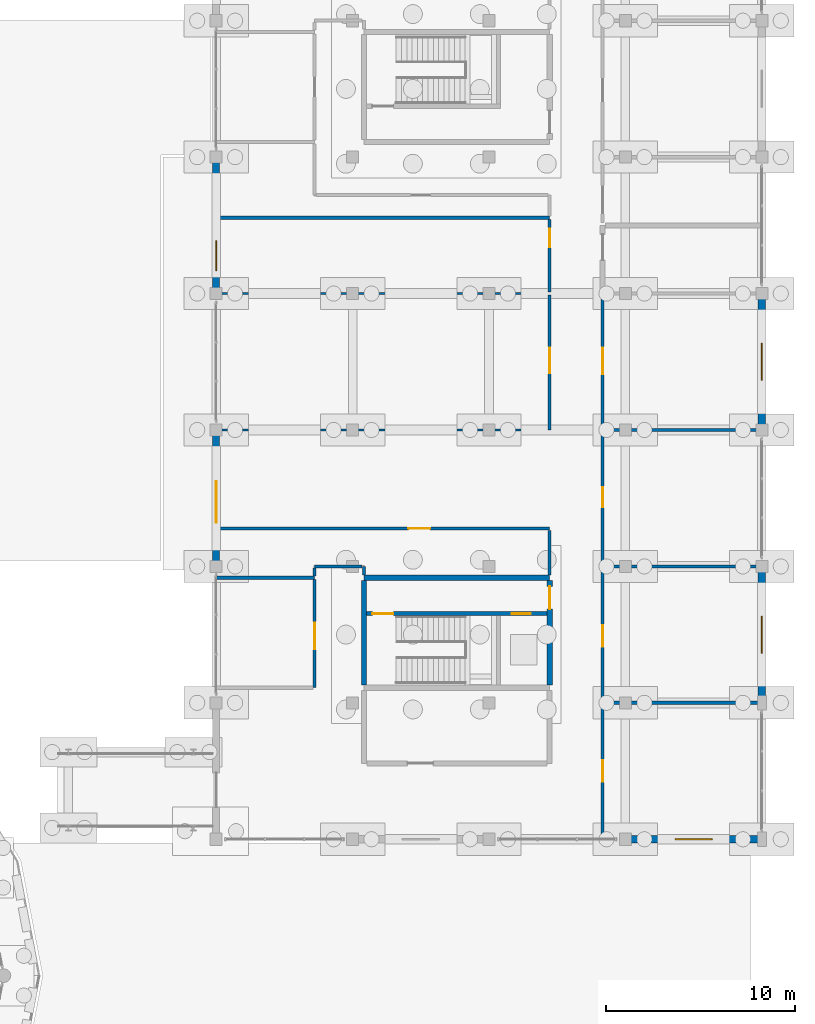
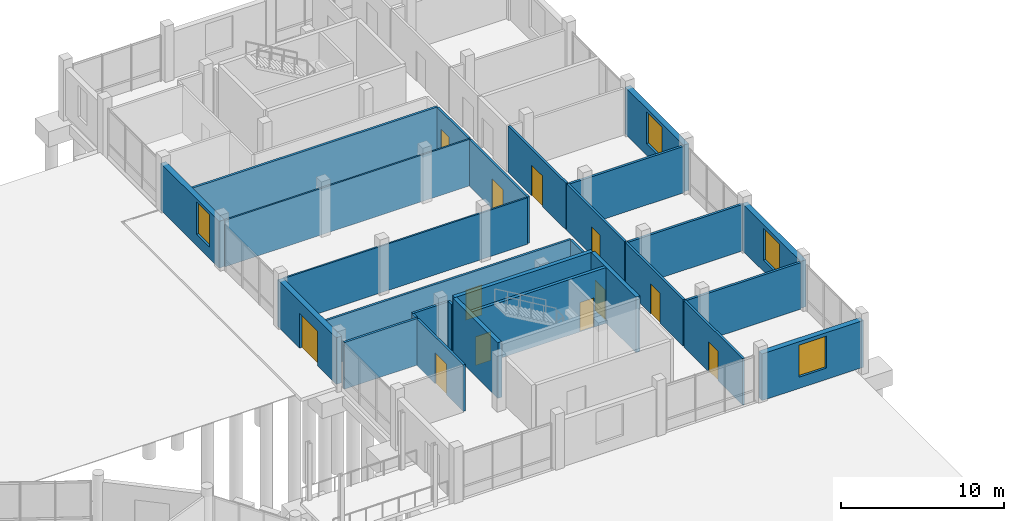
# One storey, part 84 of 98: 28 walls, 12 doors, 4 windows, 16 openings.
"""IFC4 building model written with IfcOpenShell, lengths in metres."""

from ifc_helpers import new_model, si_unit, direction, frame, frame_2d, origin, place, context, subcontext, project, spatial, rectangle, extrude, material, layer, layer_set, type_object, element, fill, save


model = new_model("IFC4")

# Units and contexts
model_context = context("Model", 3, precision=1e-05, world=origin(), true_north=direction((0.0, 1.0)))
body_context = subcontext(model_context, "Body", "Model", "MODEL_VIEW")
ifc_project = project(units=[si_unit("LENGTHUNIT", "METRE"), si_unit("AREAUNIT", "SQUARE_METRE"), si_unit("VOLUMEUNIT", "CUBIC_METRE"), si_unit("PLANEANGLEUNIT", "RADIAN"), si_unit("MASSUNIT", "GRAM", prefix="KILO")], contexts=[model_context])

# Site, building, storey
site_placement = place(None, origin())
site = spatial("IfcSite", under=ifc_project, at=site_placement, CompositionType="ELEMENT")
building_placement = place(site_placement, origin())
building = spatial("IfcBuilding", under=site, at=building_placement, Name="Zornivar Specialist Clinic", CompositionType="ELEMENT")
storey_placement = place(building_placement, origin())
storey = spatial("IfcBuildingStorey", under=building, at=storey_placement, Name="L00", CompositionType="ELEMENT", Elevation=0.0)

# Wall, opening, window
ifc_material_1 = material(Name="Masonry Vratsa Limestone and Brick Banded Wall", Category="masonry")
ifc_layer_1 = layer(ifc_material_1, 0.3798828125)
ifc_layer_set_1 = layer_set([ifc_layer_1], Name="Masonry Vratsa Limestone and Brick Banded Wall")
wall_type_1 = type_object("IfcWallType", Name="EW-LIMESTONE-380", PredefinedType="SOLIDWALL", material=ifc_layer_set_1)
wall_1_placement = place(storey_placement, frame((158.39990234375, 64.800048828125, 0.0), z_axis=(0.0, 0.0, 1.0), x_axis=(1.0, 0.0, 0.0)))
wall_1 = element("IfcWall", 1, at=wall_1_placement, inside=storey, type_object=wall_type_1, Name="ew:V6:L00:03", PredefinedType="SOLIDWALL", context=body_context, shape_type="SweptSolid", body=[
    extrude(rectangle(XDim=7.2001953125, YDim=0.3798828125, at=frame_2d((3.60009765625, 0.0))), origin(), (0.0, 0.0, 1.0), 3.510009765625),
])
opening_1_placement = place(wall_1_placement, frame((2.625, 0.0, 0.85009765625)))
opening_1 = element("IfcOpeningElement", 2, at=opening_1_placement, cuts=wall_1, Name="Opening W-19", PredefinedType="OPENING", context=body_context, shape_type="SweptSolid", body=[
    extrude(rectangle(XDim=1.949951171875, YDim=2.39990234375, at=frame_2d((0.97509765625, 1.199951171875))), frame((0.0, 0.199951171875, 0.0), z_axis=(0.0, -1.0, 0.0), x_axis=(1.0, 0.0, 0.0)), (0.0, 0.0, 1.0), 0.39990234375),
])
ifc_material_2 = material(Name="Triple-Glazed Aluminium-Timber Window Glass", Category="wood")
window_type_1 = type_object("IfcWindowType", Name="WIN-TEACH-GND-1950x2400", PartitioningType="SINGLE_PANEL", PredefinedType="WINDOW", material=ifc_material_2)
window_1_placement = place(opening_1_placement, origin())
window_1 = element("IfcWindow", 3, at=window_1_placement, inside=storey, type_object=window_type_1, Name="win:V6:L00:03", OverallHeight=2.39990234375, OverallWidth=1.949951171875, PartitioningType="SINGLE_PANEL", PredefinedType="WINDOW", context=body_context, shape_type="SweptSolid", body=[
    extrude(rectangle(XDim=1.949951171875, YDim=2.39990234375, at=frame_2d((0.97509765625, 1.199951171875))), frame((0.0, 0.030029296875, 0.0), z_axis=(0.0, -1.0, 0.0), x_axis=(1.0, 0.0, 0.0)), (0.0, 0.0, 1.0), 0.06005859375),
])
fill(opening_1, window_1)

wall_2_placement = place(storey_placement, frame((165.60009765625, 72.0, 0.0), z_axis=(0.0, 0.0, 1.0), x_axis=(0.0, 1.0, 0.0)))
wall_2 = element("IfcWall", 4, at=wall_2_placement, inside=storey, type_object=wall_type_1, Name="ew:V6:L00:05", PredefinedType="SOLIDWALL", context=body_context, shape_type="SweptSolid", body=[
    extrude(rectangle(XDim=7.199951171875, YDim=0.3798828125, at=frame_2d((3.60009765625, 0.0))), origin(), (0.0, 0.0, 1.0), 3.510009765625),
])
opening_2_placement = place(wall_2_placement, frame((2.625, 0.0, 0.85009765625)))
opening_2 = element("IfcOpeningElement", 5, at=opening_2_placement, cuts=wall_2, Name="Opening W-19", PredefinedType="OPENING", context=body_context, shape_type="SweptSolid", body=[
    extrude(rectangle(XDim=1.949951171875, YDim=2.39990234375, at=frame_2d((0.97509765625, 1.199951171875))), frame((0.0, 0.199951171875, 0.0), z_axis=(0.0, -1.0, 0.0), x_axis=(1.0, 0.0, 0.0)), (0.0, 0.0, 1.0), 0.39990234375),
])
window_2_placement = place(opening_2_placement, origin())
window_2 = element("IfcWindow", 6, at=window_2_placement, inside=storey, type_object=window_type_1, Name="win:V6:L00:05", OverallHeight=2.39990234375, OverallWidth=1.949951171875, PartitioningType="SINGLE_PANEL", PredefinedType="WINDOW", context=body_context, shape_type="SweptSolid", body=[
    extrude(rectangle(XDim=1.949951171875, YDim=2.39990234375, at=frame_2d((0.97509765625, 1.199951171875))), frame((0.0, 0.030029296875, 0.0), z_axis=(0.0, -1.0, 0.0), x_axis=(1.0, 0.0, 0.0)), (0.0, 0.0, 1.0), 0.06005859375),
])
fill(opening_2, window_2)

wall_3_placement = place(storey_placement, frame((165.60009765625, 86.39990234375, 0.0), z_axis=(0.0, 0.0, 1.0), x_axis=(0.0, 1.0, 0.0)))
wall_3 = element("IfcWall", 7, at=wall_3_placement, inside=storey, type_object=wall_type_1, Name="ew:V6:L00:07", PredefinedType="SOLIDWALL", context=body_context, shape_type="SweptSolid", body=[
    extrude(rectangle(XDim=7.2001953125, YDim=0.3798828125, at=frame_2d((3.60009765625, 0.0))), origin(), (0.0, 0.0, 1.0), 3.510009765625),
])
opening_3_placement = place(wall_3_placement, frame((2.625, 0.0, 0.85009765625)))
opening_3 = element("IfcOpeningElement", 8, at=opening_3_placement, cuts=wall_3, Name="Opening W-19", PredefinedType="OPENING", context=body_context, shape_type="SweptSolid", body=[
    extrude(rectangle(XDim=1.949951171875, YDim=2.39990234375, at=frame_2d((0.97509765625, 1.199951171875))), frame((0.0, 0.199951171875, 0.0), z_axis=(0.0, -1.0, 0.0), x_axis=(1.0, 0.0, 0.0)), (0.0, 0.0, 1.0), 0.39990234375),
])
window_3_placement = place(opening_3_placement, origin())
window_3 = element("IfcWindow", 9, at=window_3_placement, inside=storey, type_object=window_type_1, Name="win:V6:L00:07", OverallHeight=2.39990234375, OverallWidth=1.949951171875, PartitioningType="SINGLE_PANEL", PredefinedType="WINDOW", context=body_context, shape_type="SweptSolid", body=[
    extrude(rectangle(XDim=1.949951171875, YDim=2.39990234375, at=frame_2d((0.97509765625, 1.199951171875))), frame((0.0, 0.030029296875, 0.0), z_axis=(0.0, -1.0, 0.0), x_axis=(1.0, 0.0, 0.0)), (0.0, 0.0, 1.0), 0.06005859375),
])
fill(opening_3, window_3)

wall_4_placement = place(storey_placement, frame((136.800048828125, 100.800048828125, 0.0), z_axis=(0.0, 0.0, 1.0), x_axis=(0.0, -1.0, 0.0)))
wall_4 = element("IfcWall", 10, at=wall_4_placement, inside=storey, type_object=wall_type_1, Name="ew:V6:L00:17", PredefinedType="SOLIDWALL", context=body_context, shape_type="SweptSolid", body=[
    extrude(rectangle(XDim=7.199951171875, YDim=0.3798828125, at=frame_2d((3.60009765625, 0.0))), origin(), (0.0, 0.0, 1.0), 3.510009765625),
])
opening_4_placement = place(wall_4_placement, frame((4.39990234375, 0.0, 0.85009765625)))
opening_4 = element("IfcOpeningElement", 11, at=opening_4_placement, cuts=wall_4, Name="Opening W-01", PredefinedType="OPENING", context=body_context, shape_type="SweptSolid", body=[
    extrude(rectangle(XDim=1.60009765625, YDim=2.449951171875, at=frame_2d((0.800048828125, 1.22509765625))), frame((0.0, 0.199951171875, 0.0), z_axis=(0.0, -1.0, 0.0), x_axis=(1.0, 0.0, 0.0)), (0.0, 0.0, 1.0), 0.39990234375),
])
ifc_material_3 = material(Name="Triple-Glazed Aluminium-Timber Window Glass", Category="wood")
window_type_2 = type_object("IfcWindowType", Name="WIN-PLINTH-MOD-1600x2450", PartitioningType="SINGLE_PANEL", PredefinedType="WINDOW", material=ifc_material_3)
window_4_placement = place(opening_4_placement, origin())
window_4 = element("IfcWindow", 12, at=window_4_placement, inside=storey, type_object=window_type_2, Name="win:V6:L00:17", OverallHeight=2.449951171875, OverallWidth=1.60009765625, PartitioningType="SINGLE_PANEL", PredefinedType="WINDOW", context=body_context, shape_type="SweptSolid", body=[
    extrude(rectangle(XDim=1.60009765625, YDim=2.449951171875, at=frame_2d((0.800048828125, 1.22509765625))), frame((0.0, 0.030029296875, 0.0), z_axis=(0.0, -1.0, 0.0), x_axis=(1.0, 0.0, 0.0)), (0.0, 0.0, 1.0), 0.06005859375),
])
fill(opening_4, window_4)

# Wall, opening, door
wall_5_placement = place(storey_placement, frame((136.800048828125, 86.39990234375, 0.0), z_axis=(0.0, 0.0, 1.0), x_axis=(0.0, -1.0, 0.0)))
wall_5 = element("IfcWall", 13, at=wall_5_placement, inside=storey, type_object=wall_type_1, Name="ew:V6:L00:19", PredefinedType="SOLIDWALL", context=body_context, shape_type="SweptSolid", body=[
    extrude(rectangle(XDim=7.199951171875, YDim=0.3798828125, at=frame_2d((3.60009765625, 0.0))), origin(), (0.0, 0.0, 1.0), 3.510009765625),
])
opening_5_placement = place(wall_5_placement, frame((2.699951171875, 0.0, 0.0)))
opening_5 = element("IfcOpeningElement", 14, at=opening_5_placement, cuts=wall_5, Name="Opening ED-01", PredefinedType="OPENING", context=body_context, shape_type="SweptSolid", body=[
    extrude(rectangle(XDim=2.199951171875, YDim=2.60009765625, at=frame_2d((1.10009765625, 1.300048828125))), frame((0.0, 0.199951171875, 0.0), z_axis=(0.0, -1.0, 0.0), x_axis=(1.0, 0.0, 0.0)), (0.0, 0.0, 1.0), 0.39990234375),
])
ifc_material_4 = material(Name="Thermally Broken Glazed Aluminium Door", Category="aluminium")
door_type_1 = type_object("IfcDoorType", Name="ED-MAIN-2200x2600", OperationType="NOTDEFINED", PredefinedType="DOOR", material=ifc_material_4)
door_1_placement = place(opening_5_placement, frame((2.199951171875, 0.0, 0.0), z_axis=(0.0, 0.0, 1.0), x_axis=(-1.0, 0.0, 0.0)))
door_1 = element("IfcDoor", 15, at=door_1_placement, inside=storey, type_object=door_type_1, Name="door:V6:L00:19", OperationType="DOUBLE_DOOR_SINGLE_SWING", OverallHeight=2.60009765625, OverallWidth=2.199951171875, PredefinedType="DOOR", context=body_context, shape_type="SweptSolid", body=[
    extrude(rectangle(XDim=2.199951171875, YDim=2.60009765625, at=frame_2d((1.10009765625, 1.300048828125))), frame((0.0, 0.02490234375, 0.0), z_axis=(0.0, -1.0, 0.0), x_axis=(1.0, 0.0, 0.0)), (0.0, 0.0, 1.0), 0.050048828125),
])
fill(opening_5, door_1)

ifc_material_5 = material(Name="Gypsum Fire-Rated Double Stud Partition")
ifc_layer_2 = layer(ifc_material_5, 0.159912109375)
ifc_layer_set_2 = layer_set([ifc_layer_2], Name="Gypsum Fire-Rated Double Stud Partition")
wall_type_2 = type_object("IfcWallType", Name="IW-CORR-EI60-160", PredefinedType="PARTITIONING", material=ifc_layer_set_2)
wall_6_placement = place(storey_placement, frame((142.0, 78.5009765625, 0.0), z_axis=(0.0, 0.0, 1.0), x_axis=(0.0, -1.0, 0.0)))
wall_6 = element("IfcWall", 16, at=wall_6_placement, inside=storey, type_object=wall_type_2, Name="iw:L00:201", PredefinedType="PARTITIONING", context=body_context, shape_type="SweptSolid", body=[
    extrude(rectangle(XDim=5.700927734375, YDim=0.159912109375, at=frame_2d((2.8505859375, 0.0))), origin(), (0.0, 0.0, 1.0), 3.489990234375),
])
opening_6_placement = place(wall_6_placement, frame((2.261962890625, 0.0, 0.0)))
opening_6 = element("IfcOpeningElement", 17, at=opening_6_placement, cuts=wall_6, Name="Opening ID-12", PredefinedType="OPENING", context=body_context, shape_type="SweptSolid", body=[
    extrude(rectangle(XDim=1.39990234375, YDim=2.300048828125, at=frame_2d((0.699951171875, 1.14990234375))), frame((0.0, 0.08984375, 0.0), z_axis=(0.0, -1.0, 0.0), x_axis=(1.0, 0.0, 0.0)), (0.0, 0.0, 1.0), 0.179931640625),
])
ifc_material_6 = material(Name="Solid-Core Hygienic Laminate Timber Door", Category="wood")
door_type_2 = type_object("IfcDoorType", Name="ID-WAIT-1400x2300", OperationType="NOTDEFINED", PredefinedType="DOOR", material=ifc_material_6)
door_2_placement = place(opening_6_placement, origin())
door_2 = element("IfcDoor", 18, at=door_2_placement, inside=storey, type_object=door_type_2, Name="door:space:V6:L00:rm:01", OperationType="DOUBLE_DOOR_SINGLE_SWING", OverallHeight=2.300048828125, OverallWidth=1.39990234375, PredefinedType="DOOR", context=body_context, shape_type="SweptSolid", body=[
    extrude(rectangle(XDim=1.39990234375, YDim=2.300048828125, at=frame_2d((0.699951171875, 1.14990234375))), frame((0.0, 0.02490234375, 0.0), z_axis=(0.0, -1.0, 0.0), x_axis=(1.0, 0.0, 0.0)), (0.0, 0.0, 1.0), 0.050048828125),
])
fill(opening_6, door_2)

# Walls
wall_7_placement = place(storey_placement, frame((144.60009765625, 78.7548828125, 0.0), z_axis=(0.0, 0.0, 1.0), x_axis=(0.0, 1.0, 0.0)))
element("IfcWall", 19, at=wall_7_placement, inside=storey, type_object=wall_type_2, Name="iw:L00:203", PredefinedType="PARTITIONING", context=body_context, shape_type="SweptSolid", body=[
    extrude(rectangle(XDim=0.445068359375, YDim=0.159912109375, at=frame_2d((0.22265625, 0.0))), origin(), (0.0, 0.0, 1.0), 3.489990234375),
])
wall_8_placement = place(storey_placement, frame((144.506103515625, 79.199951171875, 0.0), z_axis=(0.0, 0.0, 1.0), x_axis=(-1.0, 0.0, 0.0)))
element("IfcWall", 20, at=wall_8_placement, inside=storey, type_object=wall_type_2, Name="iw:L00:204", PredefinedType="PARTITIONING", context=body_context, shape_type="SweptSolid", body=[
    extrude(rectangle(XDim=2.506103515625, YDim=0.159912109375, at=frame_2d((1.2529296875, 0.0))), origin(), (0.0, 0.0, 1.0), 3.489990234375),
])
wall_9_placement = place(storey_placement, frame((142.0, 79.10595703125, 0.0), z_axis=(0.0, 0.0, 1.0), x_axis=(0.0, -1.0, 0.0)))
element("IfcWall", 21, at=wall_9_placement, inside=storey, type_object=wall_type_2, Name="iw:L00:205", PredefinedType="PARTITIONING", context=body_context, shape_type="SweptSolid", body=[
    extrude(rectangle(XDim=0.406982421875, YDim=0.159912109375, at=frame_2d((0.20361328125, 0.0))), origin(), (0.0, 0.0, 1.0), 3.489990234375),
])

# Wall, opening, door
wall_10_placement = place(storey_placement, frame((137.0048828125, 81.199951171875, 0.0), z_axis=(0.0, 0.0, 1.0), x_axis=(1.0, 0.0, 0.0)))
wall_10 = element("IfcWall", 22, at=wall_10_placement, inside=storey, type_object=wall_type_2, Name="iw:L00:206", PredefinedType="PARTITIONING", context=body_context, shape_type="SweptSolid", body=[
    extrude(rectangle(XDim=17.39501953125, YDim=0.159912109375, at=frame_2d((8.697509765625, 0.0))), origin(), (0.0, 0.0, 1.0), 3.489990234375),
])
opening_7_placement = place(wall_10_placement, frame((9.94189453125, 0.0, 0.0)))
opening_7 = element("IfcOpeningElement", 23, at=opening_7_placement, cuts=wall_10, Name="Opening ID-06", PredefinedType="OPENING", context=body_context, shape_type="SweptSolid", body=[
    extrude(rectangle(XDim=1.14990234375, YDim=2.25, at=frame_2d((0.574951171875, 1.125))), frame((0.0, 0.08984375, 0.0), z_axis=(0.0, -1.0, 0.0), x_axis=(1.0, 0.0, 0.0)), (0.0, 0.0, 1.0), 0.179931640625),
])
ifc_material_7 = material(Name="Solid-Core Hygienic Laminate Timber Door", Category="wood")
door_type_3 = type_object("IfcDoorType", Name="ID-LAB-1150x2250", OperationType="NOTDEFINED", PredefinedType="DOOR", material=ifc_material_7)
door_3_placement = place(opening_7_placement, origin())
door_3 = element("IfcDoor", 24, at=door_3_placement, inside=storey, type_object=door_type_3, Name="door:space:V6:L00:rm:02", OperationType="SINGLE_SWING_RIGHT", OverallHeight=2.25, OverallWidth=1.14990234375, PredefinedType="DOOR", context=body_context, shape_type="SweptSolid", body=[
    extrude(rectangle(XDim=1.14990234375, YDim=2.25, at=frame_2d((0.574951171875, 1.125))), frame((0.0, 0.02490234375, 0.0), z_axis=(0.0, -1.0, 0.0), x_axis=(1.0, 0.0, 0.0)), (0.0, 0.0, 1.0), 0.050048828125),
])
fill(opening_7, door_3)

# Wall
wall_11_placement = place(storey_placement, frame((154.39990234375, 81.10595703125, 0.0), z_axis=(0.0, 0.0, 1.0), x_axis=(0.0, -1.0, 0.0)))
element("IfcWall", 25, at=wall_11_placement, inside=storey, type_object=wall_type_2, Name="iw:L00:207", PredefinedType="PARTITIONING", context=body_context, shape_type="SweptSolid", body=[
    extrude(rectangle(XDim=2.35107421875, YDim=0.159912109375, at=frame_2d((1.175537109375, 0.0))), origin(), (0.0, 0.0, 1.0), 3.489990234375),
])

# Wall, opening, door
wall_12_placement = place(storey_placement, frame((154.39990234375, 93.52587890625, 0.0), z_axis=(0.0, 0.0, 1.0), x_axis=(0.0, -1.0, 0.0)))
wall_12 = element("IfcWall", 26, at=wall_12_placement, inside=storey, type_object=wall_type_2, Name="iw:L00:209", PredefinedType="PARTITIONING", context=body_context, shape_type="SweptSolid", body=[
    extrude(rectangle(XDim=7.1259765625, YDim=0.159912109375, at=frame_2d((3.56298828125, 0.0))), origin(), (0.0, 0.0, 1.0), 3.489990234375),
])
opening_8_placement = place(wall_12_placement, frame((2.77294921875, 0.0, 0.0)))
opening_8 = element("IfcOpeningElement", 27, at=opening_8_placement, cuts=wall_12, Name="Opening ID-10", PredefinedType="OPENING", context=body_context, shape_type="SweptSolid", body=[
    extrude(rectangle(XDim=1.35009765625, YDim=2.25, at=frame_2d((0.675048828125, 1.125))), frame((0.0, 0.08984375, 0.0), z_axis=(0.0, -1.0, 0.0), x_axis=(1.0, 0.0, 0.0)), (0.0, 0.0, 1.0), 0.179931640625),
])
ifc_material_8 = material(Name="Solid-Core Hygienic Laminate Timber Door", Category="wood")
door_type_4 = type_object("IfcDoorType", Name="ID-TEACH-1350x2250", OperationType="NOTDEFINED", PredefinedType="DOOR", material=ifc_material_8)
door_4_placement = place(opening_8_placement, origin())
door_4 = element("IfcDoor", 28, at=door_4_placement, inside=storey, type_object=door_type_4, Name="door:space:V6:L00:rm:03", OperationType="SINGLE_SWING_LEFT", OverallHeight=2.25, OverallWidth=1.35009765625, PredefinedType="DOOR", context=body_context, shape_type="SweptSolid", body=[
    extrude(rectangle(XDim=1.35009765625, YDim=2.25, at=frame_2d((0.675048828125, 1.125))), frame((0.0, 0.02490234375, 0.0), z_axis=(0.0, -1.0, 0.0), x_axis=(1.0, 0.0, 0.0)), (0.0, 0.0, 1.0), 0.050048828125),
])
fill(opening_8, door_4)

wall_13_placement = place(storey_placement, frame((154.39990234375, 97.5009765625, 0.0), z_axis=(0.0, 0.0, 1.0), x_axis=(0.0, -1.0, 0.0)))
wall_13 = element("IfcWall", 29, at=wall_13_placement, inside=storey, type_object=wall_type_2, Name="iw:L00:212", PredefinedType="PARTITIONING", context=body_context, shape_type="SweptSolid", body=[
    extrude(rectangle(XDim=3.826904296875, YDim=0.159912109375, at=frame_2d((1.91357421875, 0.0))), origin(), (0.0, 0.0, 1.0), 3.489990234375),
])
opening_9_placement = place(wall_13_placement, frame((0.47998046875, 0.0, 0.0)))
opening_9 = element("IfcOpeningElement", 30, at=opening_9_placement, cuts=wall_13, Name="Opening ID-09", PredefinedType="OPENING", context=body_context, shape_type="SweptSolid", body=[
    extrude(rectangle(XDim=0.97998046875, YDim=2.14990234375, at=frame_2d((0.489990234375, 1.074951171875))), frame((0.0, 0.08984375, 0.0), z_axis=(0.0, -1.0, 0.0), x_axis=(1.0, 0.0, 0.0)), (0.0, 0.0, 1.0), 0.179931640625),
])
ifc_material_9 = material(Name="Solid-Core Hygienic Laminate Timber Door", Category="wood")
door_type_5 = type_object("IfcDoorType", Name="ID-STAFF-0980x2150", OperationType="NOTDEFINED", PredefinedType="DOOR", material=ifc_material_9)
door_5_placement = place(opening_9_placement, origin())
door_5 = element("IfcDoor", 31, at=door_5_placement, inside=storey, type_object=door_type_5, Name="door:space:V6:L00:rm:04", OperationType="SINGLE_SWING_RIGHT", OverallHeight=2.14990234375, OverallWidth=0.97998046875, PredefinedType="DOOR", context=body_context, shape_type="SweptSolid", body=[
    extrude(rectangle(XDim=0.97998046875, YDim=2.14990234375, at=frame_2d((0.489990234375, 1.074951171875))), frame((0.0, 0.02490234375, 0.0), z_axis=(0.0, -1.0, 0.0), x_axis=(1.0, 0.0, 0.0)), (0.0, 0.0, 1.0), 0.050048828125),
])
fill(opening_9, door_5)

wall_14_placement = place(storey_placement, frame((157.199951171875, 64.800048828125, 0.0), z_axis=(0.0, 0.0, 1.0), x_axis=(0.0, 1.0, 0.0)))
wall_14 = element("IfcWall", 32, at=wall_14_placement, inside=storey, type_object=wall_type_2, Name="iw:L00:223", PredefinedType="PARTITIONING", context=body_context, shape_type="SweptSolid", body=[
    extrude(rectangle(XDim=7.199951171875, YDim=0.159912109375, at=frame_2d((3.60009765625, 0.0))), origin(), (0.0, 0.0, 1.0), 3.489990234375),
])
opening_10_placement = place(wall_14_placement, frame((3.02490234375, 0.0, 0.0)))
opening_10 = element("IfcOpeningElement", 33, at=opening_10_placement, cuts=wall_14, Name="Opening ID-06", PredefinedType="OPENING", context=body_context, shape_type="SweptSolid", body=[
    extrude(rectangle(XDim=1.14990234375, YDim=2.25, at=frame_2d((0.574951171875, 1.125))), frame((0.0, 0.08984375, 0.0), z_axis=(0.0, -1.0, 0.0), x_axis=(1.0, 0.0, 0.0)), (0.0, 0.0, 1.0), 0.179931640625),
])
door_6_placement = place(opening_10_placement, origin())
door_6 = element("IfcDoor", 34, at=door_6_placement, inside=storey, type_object=door_type_3, Name="door:space:V6:L00:rm:08", OperationType="SINGLE_SWING_RIGHT", OverallHeight=2.25, OverallWidth=1.14990234375, PredefinedType="DOOR", context=body_context, shape_type="SweptSolid", body=[
    extrude(rectangle(XDim=1.14990234375, YDim=2.25, at=frame_2d((0.574951171875, 1.125))), frame((0.0, 0.02490234375, 0.0), z_axis=(0.0, -1.0, 0.0), x_axis=(1.0, 0.0, 0.0)), (0.0, 0.0, 1.0), 0.050048828125),
])
fill(opening_10, door_6)

wall_15_placement = place(storey_placement, frame((157.199951171875, 72.09912109375, 0.0), z_axis=(0.0, 0.0, 1.0), x_axis=(0.0, 1.0, 0.0)))
wall_15 = element("IfcWall", 35, at=wall_15_placement, inside=storey, type_object=wall_type_2, Name="iw:L00:225", PredefinedType="PARTITIONING", context=body_context, shape_type="SweptSolid", body=[
    extrude(rectangle(XDim=7.100830078125, YDim=0.159912109375, at=frame_2d((3.55029296875, 0.0))), origin(), (0.0, 0.0, 1.0), 3.489990234375),
])
opening_11_placement = place(wall_15_placement, frame((2.85693359375, 0.0, 0.0)))
opening_11 = element("IfcOpeningElement", 36, at=opening_11_placement, cuts=wall_15, Name="Opening ID-06", PredefinedType="OPENING", context=body_context, shape_type="SweptSolid", body=[
    extrude(rectangle(XDim=1.14990234375, YDim=2.25, at=frame_2d((0.574951171875, 1.125))), frame((0.0, 0.08984375, 0.0), z_axis=(0.0, -1.0, 0.0), x_axis=(1.0, 0.0, 0.0)), (0.0, 0.0, 1.0), 0.179931640625),
])
door_7_placement = place(opening_11_placement, origin())
door_7 = element("IfcDoor", 37, at=door_7_placement, inside=storey, type_object=door_type_3, Name="door:space:V6:L00:rm:09", OperationType="SINGLE_SWING_LEFT", OverallHeight=2.25, OverallWidth=1.14990234375, PredefinedType="DOOR", context=body_context, shape_type="SweptSolid", body=[
    extrude(rectangle(XDim=1.14990234375, YDim=2.25, at=frame_2d((0.574951171875, 1.125))), frame((0.0, 0.02490234375, 0.0), z_axis=(0.0, -1.0, 0.0), x_axis=(1.0, 0.0, 0.0)), (0.0, 0.0, 1.0), 0.050048828125),
])
fill(opening_11, door_7)

wall_16_placement = place(storey_placement, frame((157.199951171875, 79.299072265625, 0.0), z_axis=(0.0, 0.0, 1.0), x_axis=(0.0, 1.0, 0.0)))
wall_16 = element("IfcWall", 38, at=wall_16_placement, inside=storey, type_object=wall_type_2, Name="iw:L00:227", PredefinedType="PARTITIONING", context=body_context, shape_type="SweptSolid", body=[
    extrude(rectangle(XDim=7.100830078125, YDim=0.159912109375, at=frame_2d((3.55029296875, 0.0))), origin(), (0.0, 0.0, 1.0), 3.489990234375),
])
opening_12_placement = place(wall_16_placement, frame((3.02490234375, 0.0, 0.0)))
opening_12 = element("IfcOpeningElement", 39, at=opening_12_placement, cuts=wall_16, Name="Opening ID-03", PredefinedType="OPENING", context=body_context, shape_type="SweptSolid", body=[
    extrude(rectangle(XDim=1.050048828125, YDim=2.14990234375, at=frame_2d((0.52490234375, 1.074951171875))), frame((0.0, 0.08984375, 0.0), z_axis=(0.0, -1.0, 0.0), x_axis=(1.0, 0.0, 0.0)), (0.0, 0.0, 1.0), 0.179931640625),
])
ifc_material_10 = material(Name="Solid-Core Hygienic Laminate Timber Door", Category="wood")
door_type_6 = type_object("IfcDoorType", Name="ID-CONS-1050x2150", OperationType="NOTDEFINED", PredefinedType="DOOR", material=ifc_material_10)
door_8_placement = place(opening_12_placement, origin())
door_8 = element("IfcDoor", 40, at=door_8_placement, inside=storey, type_object=door_type_6, Name="door:space:V6:L00:rm:10", OperationType="SINGLE_SWING_RIGHT", OverallHeight=2.14990234375, OverallWidth=1.050048828125, PredefinedType="DOOR", context=body_context, shape_type="SweptSolid", body=[
    extrude(rectangle(XDim=1.050048828125, YDim=2.14990234375, at=frame_2d((0.52490234375, 1.074951171875))), frame((0.0, 0.02490234375, 0.0), z_axis=(0.0, -1.0, 0.0), x_axis=(1.0, 0.0, 0.0)), (0.0, 0.0, 1.0), 0.050048828125),
])
fill(opening_12, door_8)

wall_17_placement = place(storey_placement, frame((157.199951171875, 86.4990234375, 0.0), z_axis=(0.0, 0.0, 1.0), x_axis=(0.0, 1.0, 0.0)))
wall_17 = element("IfcWall", 41, at=wall_17_placement, inside=storey, type_object=wall_type_2, Name="iw:L00:229", PredefinedType="PARTITIONING", context=body_context, shape_type="SweptSolid", body=[
    extrude(rectangle(XDim=7.10107421875, YDim=0.159912109375, at=frame_2d((3.550537109375, 0.0))), origin(), (0.0, 0.0, 1.0), 3.489990234375),
])
opening_13_placement = place(wall_17_placement, frame((2.85009765625, 0.0, 0.0)))
opening_13 = element("IfcOpeningElement", 42, at=opening_13_placement, cuts=wall_17, Name="Opening ID-12", PredefinedType="OPENING", context=body_context, shape_type="SweptSolid", body=[
    extrude(rectangle(XDim=1.39990234375, YDim=2.300048828125, at=frame_2d((0.699951171875, 1.14990234375))), frame((0.0, 0.08984375, 0.0), z_axis=(0.0, -1.0, 0.0), x_axis=(1.0, 0.0, 0.0)), (0.0, 0.0, 1.0), 0.179931640625),
])
door_9_placement = place(opening_13_placement, origin())
door_9 = element("IfcDoor", 43, at=door_9_placement, inside=storey, type_object=door_type_2, Name="door:space:V6:L00:rm:11", OperationType="DOUBLE_DOOR_SINGLE_SWING", OverallHeight=2.300048828125, OverallWidth=1.39990234375, PredefinedType="DOOR", context=body_context, shape_type="SweptSolid", body=[
    extrude(rectangle(XDim=1.39990234375, YDim=2.300048828125, at=frame_2d((0.699951171875, 1.14990234375))), frame((0.0, 0.02490234375, 0.0), z_axis=(0.0, -1.0, 0.0), x_axis=(1.0, 0.0, 0.0)), (0.0, 0.0, 1.0), 0.050048828125),
])
fill(opening_13, door_9)

# Walls
ifc_material_11 = material(Name="Acoustic Glazed Consultation Partition")
ifc_layer_3 = layer(ifc_material_11, 0.1201171875)
ifc_layer_set_3 = layer_set([ifc_layer_3], Name="Acoustic Glazed Consultation Partition")
wall_type_3 = type_object("IfcWallType", Name="IW-GLAZ-120", PredefinedType="PARTITIONING", material=ifc_layer_set_3)
wall_18_placement = place(storey_placement, frame((137.0048828125, 93.60009765625, 0.0), z_axis=(0.0, 0.0, 1.0), x_axis=(1.0, 0.0, 0.0)))
element("IfcWall", 44, at=wall_18_placement, inside=storey, type_object=wall_type_3, Name="iw:L00:208", PredefinedType="PARTITIONING", context=body_context, shape_type="SweptSolid", body=[
    extrude(rectangle(XDim=17.39501953125, YDim=0.1201171875, at=frame_2d((8.697509765625, 0.0))), origin(), (0.0, 0.0, 1.0), 3.489990234375),
])
wall_19_placement = place(storey_placement, frame((154.305908203125, 86.39990234375, 0.0), z_axis=(0.0, 0.0, 1.0), x_axis=(-1.0, 0.0, 0.0)))
element("IfcWall", 45, at=wall_19_placement, inside=storey, type_object=wall_type_3, Name="iw:L00:210", PredefinedType="PARTITIONING", context=body_context, shape_type="SweptSolid", body=[
    extrude(rectangle(XDim=17.301025390625, YDim=0.1201171875, at=frame_2d((8.650390625, 0.0))), origin(), (0.0, 0.0, 1.0), 3.489990234375),
])
ifc_material_12 = material(Name="Laboratory Chemical-Resistant Stud Partition")
ifc_layer_4 = layer(ifc_material_12, 0.169921875)
ifc_layer_set_4 = layer_set([ifc_layer_4], Name="Laboratory Chemical-Resistant Stud Partition")
wall_type_4 = type_object("IfcWallType", Name="IW-LAB-EI60-170", PredefinedType="PARTITIONING", material=ifc_layer_set_4)
wall_20_placement = place(storey_placement, frame((136.800048828125, 78.60009765625, 0.0), z_axis=(0.0, 0.0, 1.0), x_axis=(1.0, 0.0, 0.0)))
element("IfcWall", 46, at=wall_20_placement, inside=storey, type_object=wall_type_4, Name="iw:L00:200", PredefinedType="PARTITIONING", context=body_context, shape_type="SweptSolid", body=[
    extrude(rectangle(XDim=5.199951171875, YDim=0.169921875, at=frame_2d((2.60009765625, 0.0))), origin(), (0.0, 0.0, 1.0), 3.489990234375),
])
wall_21_placement = place(storey_placement, frame((137.0048828125, 97.60009765625, 0.0), z_axis=(0.0, 0.0, 1.0), x_axis=(1.0, 0.0, 0.0)))
element("IfcWall", 47, at=wall_21_placement, inside=storey, type_object=wall_type_4, Name="iw:L00:211", PredefinedType="PARTITIONING", context=body_context, shape_type="SweptSolid", body=[
    extrude(rectangle(XDim=17.39501953125, YDim=0.169921875, at=frame_2d((8.697509765625, 0.0))), origin(), (0.0, 0.0, 1.0), 3.489990234375),
])
for number, where, z_axis, x_axis, name in (
    (48, (157.2939453125, 72.0, 0.0), (0.0, 0.0, 1.0), (1.0, 0.0, 0.0), "iw:L00:224"),
    (49, (157.2939453125, 79.199951171875, 0.0), (0.0, 0.0, 1.0), (1.0, 0.0, 0.0), "iw:L00:226"),
    (50, (157.2939453125, 86.39990234375, 0.0), (0.0, 0.0, 1.0), (1.0, 0.0, 0.0), "iw:L00:228"),
):
    element("IfcWall", number, at=place(storey_placement, frame(where, z_axis=z_axis, x_axis=x_axis)), inside=storey, type_object=wall_type_4, Name=name, PredefinedType="PARTITIONING", context=body_context, shape_type="SweptSolid", body=[
        extrude(rectangle(XDim=8.10107421875, YDim=0.169921875, at=frame_2d((4.050537109375, 0.0))), origin(), (0.0, 0.0, 1.0), 3.489990234375),
    ])

# Wall, opening, door
ifc_material_13 = material(Name="Concrete C35/45", Category="concrete")
ifc_layer_5 = layer(ifc_material_13, 0.280029296875)
ifc_layer_set_5 = layer_set([ifc_layer_5], Name="Concrete C35/45")
wall_type_5 = type_object("IfcWallType", Name="SW-CORE-280", PredefinedType="SHEAR", material=ifc_layer_set_5)
wall_22_placement = place(storey_placement, frame((154.39990234375, 72.93994140625, 0.0), z_axis=(0.0, 0.0, 1.0), x_axis=(0.0, 1.0, 0.0)))
wall_22 = element("IfcWall", 51, at=wall_22_placement, inside=storey, type_object=wall_type_5, Name="sw:C9:L00:w1", PredefinedType="SHEAR", context=body_context, shape_type="SweptSolid", body=[
    extrude(rectangle(XDim=5.52001953125, YDim=0.280029296875, at=frame_2d((2.760009765625, 0.0))), origin(), (0.0, 0.0, 1.0), 4.179931640625),
])
opening_14_placement = place(wall_22_placement, frame((4.0, 0.0, 0.0)))
opening_14 = element("IfcOpeningElement", 52, at=opening_14_placement, cuts=wall_22, Name="Opening FD-01", PredefinedType="OPENING", context=body_context, shape_type="SweptSolid", body=[
    extrude(rectangle(XDim=1.199951171875, YDim=2.25, at=frame_2d((0.60009765625, 1.125))), frame((0.0, 0.14990234375, 0.0), z_axis=(0.0, -1.0, 0.0), x_axis=(1.0, 0.0, 0.0)), (0.0, 0.0, 1.0), 0.300048828125),
])
ifc_material_14 = material(Name="Solid-Core Hygienic Laminate Timber Door", Category="wood")
door_type_7 = type_object("IfcDoorType", Name="FD-LOBBY-MAIN-1200x2250", OperationType="NOTDEFINED", PredefinedType="DOOR", material=ifc_material_14)
door_10_placement = place(opening_14_placement, origin())
door_10 = element("IfcDoor", 53, at=door_10_placement, inside=storey, type_object=door_type_7, Name="door:C9:L00:lob", OperationType="SINGLE_SWING_RIGHT", OverallHeight=2.25, OverallWidth=1.199951171875, PredefinedType="DOOR", context=body_context, shape_type="SweptSolid", body=[
    extrude(rectangle(XDim=1.199951171875, YDim=2.25, at=frame_2d((0.60009765625, 1.125))), frame((0.0, 0.02490234375, 0.0), z_axis=(0.0, -1.0, 0.0), x_axis=(1.0, 0.0, 0.0)), (0.0, 0.0, 1.0), 0.050048828125),
])
fill(opening_14, door_10)

# Walls
wall_23_placement = place(storey_placement, frame((154.39990234375, 78.60009765625, 0.0), z_axis=(0.0, 0.0, 1.0), x_axis=(-1.0, 0.0, 0.0)))
element("IfcWall", 54, at=wall_23_placement, inside=storey, type_object=wall_type_5, Name="sw:C9:L00:w2", PredefinedType="SHEAR", context=body_context, shape_type="SweptSolid", body=[
    extrude(rectangle(XDim=9.7998046875, YDim=0.280029296875, at=frame_2d((4.89990234375, 0.0))), origin(), (0.0, 0.0, 1.0), 4.179931640625),
])
wall_24_placement = place(storey_placement, frame((144.60009765625, 78.4599609375, 0.0), z_axis=(0.0, 0.0, 1.0), x_axis=(0.0, -1.0, 0.0)))
element("IfcWall", 55, at=wall_24_placement, inside=storey, type_object=wall_type_5, Name="sw:C9:L00:w3", PredefinedType="SHEAR", context=body_context, shape_type="SweptSolid", body=[
    extrude(rectangle(XDim=5.52001953125, YDim=0.280029296875, at=frame_2d((2.760009765625, 0.0))), origin(), (0.0, 0.0, 1.0), 4.179931640625),
])

# Wall, openings, doors
ifc_material_15 = material(Name="Concrete C30/37", Category="concrete")
ifc_layer_6 = layer(ifc_material_15, 0.219970703125)
ifc_layer_set_6 = layer_set([ifc_layer_6], Name="Concrete C30/37")
wall_type_6 = type_object("IfcWallType", Name="SW-SHAFT-220", PredefinedType="SHEAR", material=ifc_layer_set_6)
wall_25_placement = place(storey_placement, frame((144.739990234375, 76.7099609375, 0.0), z_axis=(0.0, 0.0, 1.0), x_axis=(1.0, 0.0, 0.0)))
wall_25 = element("IfcWall", 56, at=wall_25_placement, inside=storey, type_object=wall_type_6, Name="sw:C9:L00:stwall", PredefinedType="SHEAR", context=body_context, shape_type="SweptSolid", body=[
    extrude(rectangle(XDim=9.52001953125, YDim=0.219970703125, at=frame_2d((4.760009765625, 0.0))), origin(), (0.0, 0.0, 1.0), 4.179931640625),
])
opening_15_placement = place(wall_25_placement, frame((0.31005859375, 0.0, 0.0)))
opening_15 = element("IfcOpeningElement", 57, at=opening_15_placement, cuts=wall_25, Name="Opening FD-02", PredefinedType="OPENING", context=body_context, shape_type="SweptSolid", body=[
    extrude(rectangle(XDim=1.10009765625, YDim=2.14990234375, at=frame_2d((0.550048828125, 1.074951171875))), frame((0.0, 0.119873046875, 0.0), z_axis=(0.0, -1.0, 0.0), x_axis=(1.0, 0.0, 0.0)), (0.0, 0.0, 1.0), 0.239990234375),
])
opening_16_placement = place(wall_25_placement, frame((7.659912109375, 0.0, 0.0)))
opening_16 = element("IfcOpeningElement", 58, at=opening_16_placement, cuts=wall_25, Name="Opening LD-02", PredefinedType="OPENING", context=body_context, shape_type="SweptSolid", body=[
    extrude(rectangle(XDim=1.0, YDim=2.199951171875, at=frame_2d((0.5, 1.10009765625))), frame((0.0, 0.119873046875, 0.0), z_axis=(0.0, -1.0, 0.0), x_axis=(1.0, 0.0, 0.0)), (0.0, 0.0, 1.0), 0.239990234375),
])
ifc_material_16 = material(Name="Solid-Core Hygienic Laminate Timber Door", Category="wood")
door_type_8 = type_object("IfcDoorType", Name="FD-STAIR-1100x2150", OperationType="NOTDEFINED", PredefinedType="DOOR", material=ifc_material_16)
door_11_placement = place(opening_15_placement, origin())
door_11 = element("IfcDoor", 59, at=door_11_placement, inside=storey, type_object=door_type_8, Name="door:C9:L00:stair", OperationType="SINGLE_SWING_LEFT", OverallHeight=2.14990234375, OverallWidth=1.10009765625, PredefinedType="DOOR", context=body_context, shape_type="SweptSolid", body=[
    extrude(rectangle(XDim=1.10009765625, YDim=2.14990234375, at=frame_2d((0.550048828125, 1.074951171875))), frame((0.0, 0.02490234375, 0.0), z_axis=(0.0, -1.0, 0.0), x_axis=(1.0, 0.0, 0.0)), (0.0, 0.0, 1.0), 0.050048828125),
])
fill(opening_15, door_11)
ifc_material_17 = material(Name="Stainless Steel Lift Landing Sliding Door", Category="steel")
door_type_9 = type_object("IfcDoorType", Name="LD-LIFT-1000x2200", OperationType="NOTDEFINED", PredefinedType="DOOR", material=ifc_material_17)
door_12_placement = place(opening_16_placement, origin())
door_12 = element("IfcDoor", 60, at=door_12_placement, inside=storey, type_object=door_type_9, Name="door:C9:L00:lift", OperationType="DOUBLE_DOOR_SLIDING", OverallHeight=2.199951171875, OverallWidth=1.0, PredefinedType="DOOR", context=body_context, shape_type="SweptSolid", body=[
    extrude(rectangle(XDim=1.0, YDim=2.199951171875, at=frame_2d((0.5, 1.10009765625))), frame((0.0, 0.02490234375, 0.0), z_axis=(0.0, -1.0, 0.0), x_axis=(1.0, 0.0, 0.0)), (0.0, 0.0, 1.0), 0.050048828125),
])
fill(opening_16, door_12)

save(model, "model.ifc")
